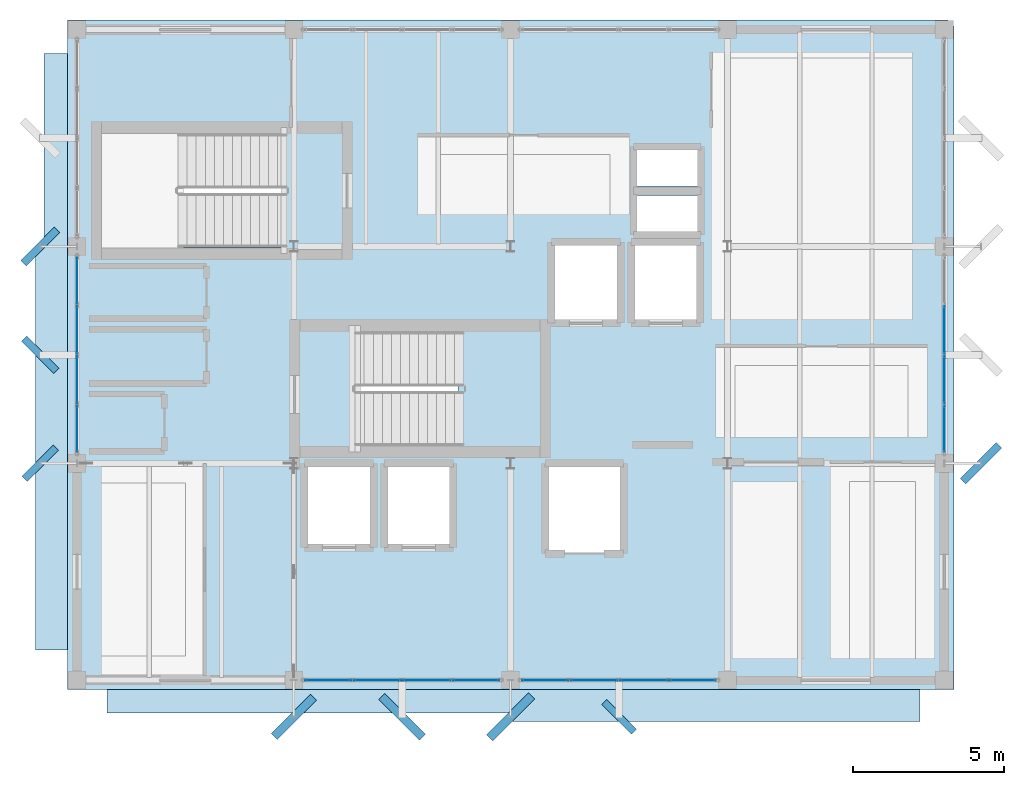
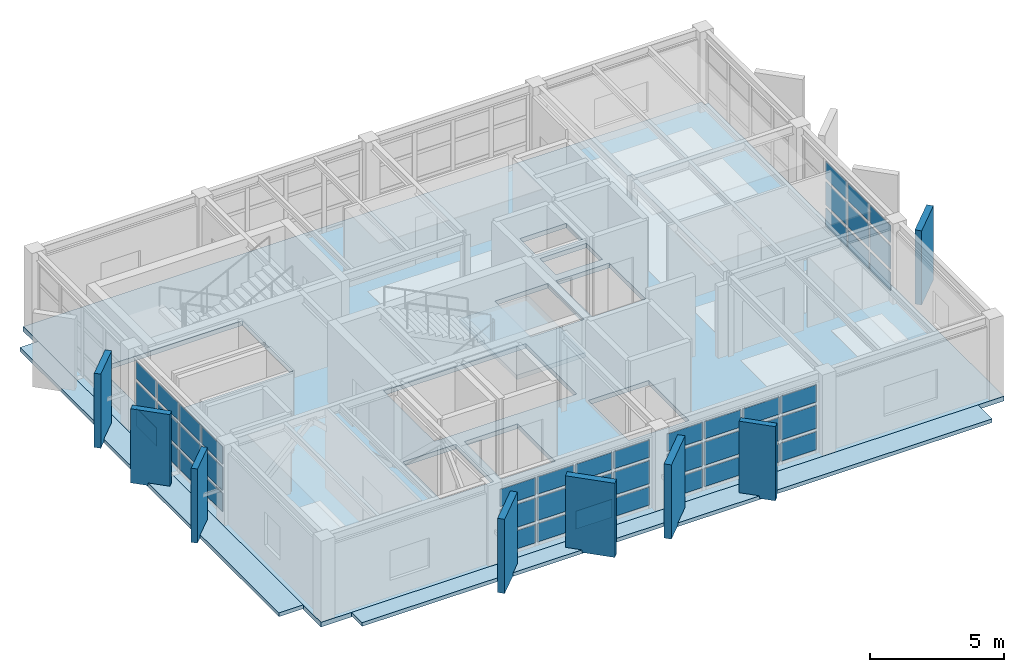
# One storey, part 9 of 15: 53 plates, 4 slabs, 5 elements without a shape of their own.
"""IFC4 building model written with IfcOpenShell, lengths in metres."""

from ifc_helpers import new_model, si_unit, direction, frame, origin, origin_2d, place, context, subcontext, project, spatial, polyline, rectangle, outline, extrude, material, layer, layer_set, type_object, element, aggregate, save


model = new_model("IFC4")

# Units and contexts
model_context = context("Model", 3, precision=1e-05, world=origin(), true_north=direction((0.0, 1.0)))
body_context = subcontext(model_context, "Body", "Model", "MODEL_VIEW")
ifc_project = project(units=[si_unit("LENGTHUNIT", "METRE"), si_unit("AREAUNIT", "SQUARE_METRE"), si_unit("VOLUMEUNIT", "CUBIC_METRE"), si_unit("PLANEANGLEUNIT", "RADIAN"), si_unit("MASSUNIT", "GRAM", prefix="KILO")], contexts=[model_context])

# Site, building, storey
site_placement = place(None, origin())
site = spatial("IfcSite", under=ifc_project, at=site_placement, CompositionType="ELEMENT")
building_placement = place(site_placement, origin())
building = spatial("IfcBuilding", under=site, at=building_placement, Name="Kandorven Conservatory and Botanical Research Centre", CompositionType="ELEMENT")
storey_placement = place(building_placement, frame((0.0, 0.0, 48.300048828125)))
storey = spatial("IfcBuildingStorey", under=building, at=storey_placement, Name="L12", CompositionType="ELEMENT", Elevation=48.300048828125)

# Curtain wall, plates
ifc_material_1 = material(Name="Bronze anodised thermally broken aluminium", Category="aluminium")
ifc_layer_1 = layer(ifc_material_1, 0.179931640625)
ifc_layer_set_1 = layer_set([ifc_layer_1], Name="Bronze anodised thermally broken aluminium")
curtain_wall_type = type_object("IfcCurtainWallType", Name="CW_Unitised", PredefinedType="USERDEFINED", material=ifc_layer_set_1)
curtain_wall_1_placement = place(storey_placement, origin())
curtain_wall_1 = element("IfcCurtainWall", 1, at=curtain_wall_1_placement, inside=storey, type_object=curtain_wall_type, Name="Tower laboratory curtain wall CW-TWR-S-L12-2", ObjectType="UNITISED GLAZING", PredefinedType="USERDEFINED")
ifc_material_2 = material(Name="Double-glazed solar-control low-E glass", Category="glass")
ifc_layer_2 = layer(ifc_material_2, 0.028076171875)
ifc_layer_set_2 = layer_set([ifc_layer_2], Name="Double-glazed solar-control low-E glass")
plate_type_1 = type_object("IfcPlateType", Name="CW_Panel", PredefinedType="CURTAIN_PANEL", material=ifc_layer_set_2)
plate_1_placement = place(storey_placement, frame((14.344970703125, 6.0, 0.14990234375), z_axis=(0.0, 0.0, 1.0), x_axis=(1.0, 0.0, 0.0)))
plate_1 = element("IfcPlate", 2, at=plate_1_placement, type_object=plate_type_1, Name="CW-01 panel 1.1", PredefinedType="CURTAIN_PANEL", context=body_context, shape_type="SweptSolid", body=[
    extrude(rectangle(XDim=1.530029296875, YDim=0.028076171875, at=origin_2d()), origin(), (0.0, 0.0, 1.0), 0.824951171875),
])
plate_2_placement = place(storey_placement, frame((14.344970703125, 6.0, 1.125), z_axis=(0.0, 0.0, 1.0), x_axis=(1.0, 0.0, 0.0)))
plate_2 = element("IfcPlate", 3, at=plate_2_placement, type_object=plate_type_1, Name="CW-01 panel 1.2", PredefinedType="CURTAIN_PANEL", context=body_context, shape_type="SweptSolid", body=[
    extrude(rectangle(XDim=1.530029296875, YDim=0.028076171875, at=origin_2d()), origin(), (0.0, 0.0, 1.0), 1.050048828125),
])
plate_3_placement = place(storey_placement, frame((14.344970703125, 6.0, 2.3251953125), z_axis=(0.0, 0.0, 1.0), x_axis=(1.0, 0.0, 0.0)))
plate_3 = element("IfcPlate", 4, at=plate_3_placement, type_object=plate_type_1, Name="CW-01 panel 1.3", PredefinedType="CURTAIN_PANEL", context=body_context, shape_type="SweptSolid", body=[
    extrude(rectangle(XDim=1.530029296875, YDim=0.028076171875, at=origin_2d()), origin(), (0.0, 0.0, 1.0), 0.784912109375),
])
plate_4_placement = place(storey_placement, frame((15.97509765625, 6.0, 0.14990234375), z_axis=(0.0, 0.0, 1.0), x_axis=(1.0, 0.0, 0.0)))
plate_4 = element("IfcPlate", 5, at=plate_4_placement, type_object=plate_type_1, Name="CW-01 panel 2.1", PredefinedType="CURTAIN_PANEL", context=body_context, shape_type="SweptSolid", body=[
    extrude(rectangle(XDim=1.570068359375, YDim=0.028076171875, at=origin_2d()), origin(), (0.0, 0.0, 1.0), 0.824951171875),
])
plate_5_placement = place(storey_placement, frame((15.97509765625, 6.0, 1.125), z_axis=(0.0, 0.0, 1.0), x_axis=(1.0, 0.0, 0.0)))
plate_5 = element("IfcPlate", 6, at=plate_5_placement, type_object=plate_type_1, Name="CW-01 panel 2.2", PredefinedType="CURTAIN_PANEL", context=body_context, shape_type="SweptSolid", body=[
    extrude(rectangle(XDim=1.570068359375, YDim=0.028076171875, at=origin_2d()), origin(), (0.0, 0.0, 1.0), 1.050048828125),
])
plate_6_placement = place(storey_placement, frame((15.97509765625, 6.0, 2.3251953125), z_axis=(0.0, 0.0, 1.0), x_axis=(1.0, 0.0, 0.0)))
plate_6 = element("IfcPlate", 7, at=plate_6_placement, type_object=plate_type_1, Name="CW-01 panel 2.3", PredefinedType="CURTAIN_PANEL", context=body_context, shape_type="SweptSolid", body=[
    extrude(rectangle(XDim=1.570068359375, YDim=0.028076171875, at=origin_2d()), origin(), (0.0, 0.0, 1.0), 0.784912109375),
])
plate_7_placement = place(storey_placement, frame((17.625, 6.0, 0.14990234375), z_axis=(0.0, 0.0, 1.0), x_axis=(1.0, 0.0, 0.0)))
plate_7 = element("IfcPlate", 8, at=plate_7_placement, type_object=plate_type_1, Name="CW-01 panel 3.1", PredefinedType="CURTAIN_PANEL", context=body_context, shape_type="SweptSolid", body=[
    extrude(rectangle(XDim=1.570068359375, YDim=0.028076171875, at=origin_2d()), origin(), (0.0, 0.0, 1.0), 0.824951171875),
])
plate_8_placement = place(storey_placement, frame((17.625, 6.0, 1.125), z_axis=(0.0, 0.0, 1.0), x_axis=(1.0, 0.0, 0.0)))
plate_8 = element("IfcPlate", 9, at=plate_8_placement, type_object=plate_type_1, Name="CW-01 panel 3.2", PredefinedType="CURTAIN_PANEL", context=body_context, shape_type="SweptSolid", body=[
    extrude(rectangle(XDim=1.570068359375, YDim=0.028076171875, at=origin_2d()), origin(), (0.0, 0.0, 1.0), 1.050048828125),
])
plate_9_placement = place(storey_placement, frame((17.625, 6.0, 2.3251953125), z_axis=(0.0, 0.0, 1.0), x_axis=(1.0, 0.0, 0.0)))
plate_9 = element("IfcPlate", 10, at=plate_9_placement, type_object=plate_type_1, Name="CW-01 panel 3.3", PredefinedType="CURTAIN_PANEL", context=body_context, shape_type="SweptSolid", body=[
    extrude(rectangle(XDim=1.570068359375, YDim=0.028076171875, at=origin_2d()), origin(), (0.0, 0.0, 1.0), 0.784912109375),
])
plate_10_placement = place(storey_placement, frame((19.2548828125, 6.0, 0.14990234375), z_axis=(0.0, 0.0, 1.0), x_axis=(1.0, 0.0, 0.0)))
plate_10 = element("IfcPlate", 11, at=plate_10_placement, type_object=plate_type_1, Name="CW-01 panel 4.1", PredefinedType="CURTAIN_PANEL", context=body_context, shape_type="SweptSolid", body=[
    extrude(rectangle(XDim=1.530029296875, YDim=0.028076171875, at=origin_2d()), origin(), (0.0, 0.0, 1.0), 0.824951171875),
])
plate_11_placement = place(storey_placement, frame((19.2548828125, 6.0, 1.125), z_axis=(0.0, 0.0, 1.0), x_axis=(1.0, 0.0, 0.0)))
plate_11 = element("IfcPlate", 12, at=plate_11_placement, type_object=plate_type_1, Name="CW-01 panel 4.2", PredefinedType="CURTAIN_PANEL", context=body_context, shape_type="SweptSolid", body=[
    extrude(rectangle(XDim=1.530029296875, YDim=0.028076171875, at=origin_2d()), origin(), (0.0, 0.0, 1.0), 1.050048828125),
])
plate_12_placement = place(storey_placement, frame((19.2548828125, 6.0, 2.3251953125), z_axis=(0.0, 0.0, 1.0), x_axis=(1.0, 0.0, 0.0)))
plate_12 = element("IfcPlate", 13, at=plate_12_placement, type_object=plate_type_1, Name="CW-01 panel 4.3", PredefinedType="CURTAIN_PANEL", context=body_context, shape_type="SweptSolid", body=[
    extrude(rectangle(XDim=1.530029296875, YDim=0.028076171875, at=origin_2d()), origin(), (0.0, 0.0, 1.0), 0.784912109375),
])
aggregate(curtain_wall_1, [plate_1, plate_2, plate_3, plate_4, plate_5, plate_6, plate_7, plate_8, plate_9, plate_10, plate_11, plate_12])

curtain_wall_2_placement = place(storey_placement, origin())
curtain_wall_2 = element("IfcCurtainWall", 14, at=curtain_wall_2_placement, inside=storey, type_object=curtain_wall_type, Name="Tower laboratory curtain wall CW-TWR-S-L12-3", ObjectType="UNITISED GLAZING", PredefinedType="USERDEFINED")
plate_13_placement = place(storey_placement, frame((21.544921875, 6.0, 0.14990234375), z_axis=(0.0, 0.0, 1.0), x_axis=(1.0, 0.0, 0.0)))
plate_13 = element("IfcPlate", 15, at=plate_13_placement, type_object=plate_type_1, Name="CW-01 panel 1.1", PredefinedType="CURTAIN_PANEL", context=body_context, shape_type="SweptSolid", body=[
    extrude(rectangle(XDim=1.530029296875, YDim=0.028076171875, at=origin_2d()), origin(), (0.0, 0.0, 1.0), 0.824951171875),
])
plate_14_placement = place(storey_placement, frame((21.544921875, 6.0, 1.125), z_axis=(0.0, 0.0, 1.0), x_axis=(1.0, 0.0, 0.0)))
plate_14 = element("IfcPlate", 16, at=plate_14_placement, type_object=plate_type_1, Name="CW-01 panel 1.2", PredefinedType="CURTAIN_PANEL", context=body_context, shape_type="SweptSolid", body=[
    extrude(rectangle(XDim=1.530029296875, YDim=0.028076171875, at=origin_2d()), origin(), (0.0, 0.0, 1.0), 1.050048828125),
])
plate_15_placement = place(storey_placement, frame((21.544921875, 6.0, 2.3251953125), z_axis=(0.0, 0.0, 1.0), x_axis=(1.0, 0.0, 0.0)))
plate_15 = element("IfcPlate", 17, at=plate_15_placement, type_object=plate_type_1, Name="CW-01 panel 1.3", PredefinedType="CURTAIN_PANEL", context=body_context, shape_type="SweptSolid", body=[
    extrude(rectangle(XDim=1.530029296875, YDim=0.028076171875, at=origin_2d()), origin(), (0.0, 0.0, 1.0), 0.784912109375),
])
plate_16_placement = place(storey_placement, frame((23.175048828125, 6.0, 0.14990234375), z_axis=(0.0, 0.0, 1.0), x_axis=(1.0, 0.0, 0.0)))
plate_16 = element("IfcPlate", 18, at=plate_16_placement, type_object=plate_type_1, Name="CW-01 panel 2.1", PredefinedType="CURTAIN_PANEL", context=body_context, shape_type="SweptSolid", body=[
    extrude(rectangle(XDim=1.570068359375, YDim=0.028076171875, at=origin_2d()), origin(), (0.0, 0.0, 1.0), 0.824951171875),
])
plate_17_placement = place(storey_placement, frame((23.175048828125, 6.0, 1.125), z_axis=(0.0, 0.0, 1.0), x_axis=(1.0, 0.0, 0.0)))
plate_17 = element("IfcPlate", 19, at=plate_17_placement, type_object=plate_type_1, Name="CW-01 panel 2.2", PredefinedType="CURTAIN_PANEL", context=body_context, shape_type="SweptSolid", body=[
    extrude(rectangle(XDim=1.570068359375, YDim=0.028076171875, at=origin_2d()), origin(), (0.0, 0.0, 1.0), 1.050048828125),
])
plate_18_placement = place(storey_placement, frame((23.175048828125, 6.0, 2.3251953125), z_axis=(0.0, 0.0, 1.0), x_axis=(1.0, 0.0, 0.0)))
plate_18 = element("IfcPlate", 20, at=plate_18_placement, type_object=plate_type_1, Name="CW-01 panel 2.3", PredefinedType="CURTAIN_PANEL", context=body_context, shape_type="SweptSolid", body=[
    extrude(rectangle(XDim=1.570068359375, YDim=0.028076171875, at=origin_2d()), origin(), (0.0, 0.0, 1.0), 0.784912109375),
])
plate_19_placement = place(storey_placement, frame((24.824951171875, 6.0, 0.14990234375), z_axis=(0.0, 0.0, 1.0), x_axis=(1.0, 0.0, 0.0)))
plate_19 = element("IfcPlate", 21, at=plate_19_placement, type_object=plate_type_1, Name="CW-01 panel 3.1", PredefinedType="CURTAIN_PANEL", context=body_context, shape_type="SweptSolid", body=[
    extrude(rectangle(XDim=1.570068359375, YDim=0.028076171875, at=origin_2d()), origin(), (0.0, 0.0, 1.0), 0.824951171875),
])
plate_20_placement = place(storey_placement, frame((24.824951171875, 6.0, 1.125), z_axis=(0.0, 0.0, 1.0), x_axis=(1.0, 0.0, 0.0)))
plate_20 = element("IfcPlate", 22, at=plate_20_placement, type_object=plate_type_1, Name="CW-01 panel 3.2", PredefinedType="CURTAIN_PANEL", context=body_context, shape_type="SweptSolid", body=[
    extrude(rectangle(XDim=1.570068359375, YDim=0.028076171875, at=origin_2d()), origin(), (0.0, 0.0, 1.0), 1.050048828125),
])
plate_21_placement = place(storey_placement, frame((24.824951171875, 6.0, 2.3251953125), z_axis=(0.0, 0.0, 1.0), x_axis=(1.0, 0.0, 0.0)))
plate_21 = element("IfcPlate", 23, at=plate_21_placement, type_object=plate_type_1, Name="CW-01 panel 3.3", PredefinedType="CURTAIN_PANEL", context=body_context, shape_type="SweptSolid", body=[
    extrude(rectangle(XDim=1.570068359375, YDim=0.028076171875, at=origin_2d()), origin(), (0.0, 0.0, 1.0), 0.784912109375),
])
plate_22_placement = place(storey_placement, frame((26.455078125, 6.0, 0.14990234375), z_axis=(0.0, 0.0, 1.0), x_axis=(1.0, 0.0, 0.0)))
plate_22 = element("IfcPlate", 24, at=plate_22_placement, type_object=plate_type_1, Name="CW-01 panel 4.1", PredefinedType="CURTAIN_PANEL", context=body_context, shape_type="SweptSolid", body=[
    extrude(rectangle(XDim=1.530029296875, YDim=0.028076171875, at=origin_2d()), origin(), (0.0, 0.0, 1.0), 0.824951171875),
])
plate_23_placement = place(storey_placement, frame((26.455078125, 6.0, 1.125), z_axis=(0.0, 0.0, 1.0), x_axis=(1.0, 0.0, 0.0)))
plate_23 = element("IfcPlate", 25, at=plate_23_placement, type_object=plate_type_1, Name="CW-01 panel 4.2", PredefinedType="CURTAIN_PANEL", context=body_context, shape_type="SweptSolid", body=[
    extrude(rectangle(XDim=1.530029296875, YDim=0.028076171875, at=origin_2d()), origin(), (0.0, 0.0, 1.0), 1.050048828125),
])
plate_24_placement = place(storey_placement, frame((26.455078125, 6.0, 2.3251953125), z_axis=(0.0, 0.0, 1.0), x_axis=(1.0, 0.0, 0.0)))
plate_24 = element("IfcPlate", 26, at=plate_24_placement, type_object=plate_type_1, Name="CW-01 panel 4.3", PredefinedType="CURTAIN_PANEL", context=body_context, shape_type="SweptSolid", body=[
    extrude(rectangle(XDim=1.530029296875, YDim=0.028076171875, at=origin_2d()), origin(), (0.0, 0.0, 1.0), 0.784912109375),
])
aggregate(curtain_wall_2, [plate_13, plate_14, plate_15, plate_16, plate_17, plate_18, plate_19, plate_20, plate_21, plate_22, plate_23, plate_24])

curtain_wall_3_placement = place(storey_placement, origin())
curtain_wall_3 = element("IfcCurtainWall", 27, at=curtain_wall_3_placement, inside=storey, type_object=curtain_wall_type, Name="Tower laboratory curtain wall CW-TWR-W-L12-2", ObjectType="UNITISED GLAZING", PredefinedType="USERDEFINED")
plate_25_placement = place(storey_placement, frame((6.0, 14.344970703125, 0.14990234375), z_axis=(0.0, 0.0, 1.0), x_axis=(0.0, 1.0, 0.0)))
plate_25 = element("IfcPlate", 28, at=plate_25_placement, type_object=plate_type_1, Name="CW-01 panel 1.1", PredefinedType="CURTAIN_PANEL", context=body_context, shape_type="SweptSolid", body=[
    extrude(rectangle(XDim=1.530029296875, YDim=0.028076171875, at=origin_2d()), origin(), (0.0, 0.0, 1.0), 0.824951171875),
])
plate_26_placement = place(storey_placement, frame((6.0, 14.344970703125, 1.125), z_axis=(0.0, 0.0, 1.0), x_axis=(0.0, 1.0, 0.0)))
plate_26 = element("IfcPlate", 29, at=plate_26_placement, type_object=plate_type_1, Name="CW-01 panel 1.2", PredefinedType="CURTAIN_PANEL", context=body_context, shape_type="SweptSolid", body=[
    extrude(rectangle(XDim=1.530029296875, YDim=0.028076171875, at=origin_2d()), origin(), (0.0, 0.0, 1.0), 1.050048828125),
])
plate_27_placement = place(storey_placement, frame((6.0, 14.344970703125, 2.3251953125), z_axis=(0.0, 0.0, 1.0), x_axis=(0.0, 1.0, 0.0)))
plate_27 = element("IfcPlate", 30, at=plate_27_placement, type_object=plate_type_1, Name="CW-01 panel 1.3", PredefinedType="CURTAIN_PANEL", context=body_context, shape_type="SweptSolid", body=[
    extrude(rectangle(XDim=1.530029296875, YDim=0.028076171875, at=origin_2d()), origin(), (0.0, 0.0, 1.0), 0.784912109375),
])
plate_28_placement = place(storey_placement, frame((6.0, 15.97509765625, 0.14990234375), z_axis=(0.0, 0.0, 1.0), x_axis=(0.0, 1.0, 0.0)))
plate_28 = element("IfcPlate", 31, at=plate_28_placement, type_object=plate_type_1, Name="CW-01 panel 2.1", PredefinedType="CURTAIN_PANEL", context=body_context, shape_type="SweptSolid", body=[
    extrude(rectangle(XDim=1.570068359375, YDim=0.028076171875, at=origin_2d()), origin(), (0.0, 0.0, 1.0), 0.824951171875),
])
plate_29_placement = place(storey_placement, frame((6.0, 15.97509765625, 1.125), z_axis=(0.0, 0.0, 1.0), x_axis=(0.0, 1.0, 0.0)))
plate_29 = element("IfcPlate", 32, at=plate_29_placement, type_object=plate_type_1, Name="CW-01 panel 2.2", PredefinedType="CURTAIN_PANEL", context=body_context, shape_type="SweptSolid", body=[
    extrude(rectangle(XDim=1.570068359375, YDim=0.028076171875, at=origin_2d()), origin(), (0.0, 0.0, 1.0), 1.050048828125),
])
plate_30_placement = place(storey_placement, frame((6.0, 15.97509765625, 2.3251953125), z_axis=(0.0, 0.0, 1.0), x_axis=(0.0, 1.0, 0.0)))
plate_30 = element("IfcPlate", 33, at=plate_30_placement, type_object=plate_type_1, Name="CW-01 panel 2.3", PredefinedType="CURTAIN_PANEL", context=body_context, shape_type="SweptSolid", body=[
    extrude(rectangle(XDim=1.570068359375, YDim=0.028076171875, at=origin_2d()), origin(), (0.0, 0.0, 1.0), 0.784912109375),
])
plate_31_placement = place(storey_placement, frame((6.0, 17.625, 0.14990234375), z_axis=(0.0, 0.0, 1.0), x_axis=(0.0, 1.0, 0.0)))
plate_31 = element("IfcPlate", 34, at=plate_31_placement, type_object=plate_type_1, Name="CW-01 panel 3.1", PredefinedType="CURTAIN_PANEL", context=body_context, shape_type="SweptSolid", body=[
    extrude(rectangle(XDim=1.570068359375, YDim=0.028076171875, at=origin_2d()), origin(), (0.0, 0.0, 1.0), 0.824951171875),
])
plate_32_placement = place(storey_placement, frame((6.0, 17.625, 1.125), z_axis=(0.0, 0.0, 1.0), x_axis=(0.0, 1.0, 0.0)))
plate_32 = element("IfcPlate", 35, at=plate_32_placement, type_object=plate_type_1, Name="CW-01 panel 3.2", PredefinedType="CURTAIN_PANEL", context=body_context, shape_type="SweptSolid", body=[
    extrude(rectangle(XDim=1.570068359375, YDim=0.028076171875, at=origin_2d()), origin(), (0.0, 0.0, 1.0), 1.050048828125),
])
plate_33_placement = place(storey_placement, frame((6.0, 17.625, 2.3251953125), z_axis=(0.0, 0.0, 1.0), x_axis=(0.0, 1.0, 0.0)))
plate_33 = element("IfcPlate", 36, at=plate_33_placement, type_object=plate_type_1, Name="CW-01 panel 3.3", PredefinedType="CURTAIN_PANEL", context=body_context, shape_type="SweptSolid", body=[
    extrude(rectangle(XDim=1.570068359375, YDim=0.028076171875, at=origin_2d()), origin(), (0.0, 0.0, 1.0), 0.784912109375),
])
plate_34_placement = place(storey_placement, frame((6.0, 19.2548828125, 0.14990234375), z_axis=(0.0, 0.0, 1.0), x_axis=(0.0, 1.0, 0.0)))
plate_34 = element("IfcPlate", 37, at=plate_34_placement, type_object=plate_type_1, Name="CW-01 panel 4.1", PredefinedType="CURTAIN_PANEL", context=body_context, shape_type="SweptSolid", body=[
    extrude(rectangle(XDim=1.530029296875, YDim=0.028076171875, at=origin_2d()), origin(), (0.0, 0.0, 1.0), 0.824951171875),
])
plate_35_placement = place(storey_placement, frame((6.0, 19.2548828125, 1.125), z_axis=(0.0, 0.0, 1.0), x_axis=(0.0, 1.0, 0.0)))
plate_35 = element("IfcPlate", 38, at=plate_35_placement, type_object=plate_type_1, Name="CW-01 panel 4.2", PredefinedType="CURTAIN_PANEL", context=body_context, shape_type="SweptSolid", body=[
    extrude(rectangle(XDim=1.530029296875, YDim=0.028076171875, at=origin_2d()), origin(), (0.0, 0.0, 1.0), 1.050048828125),
])
plate_36_placement = place(storey_placement, frame((6.0, 19.2548828125, 2.3251953125), z_axis=(0.0, 0.0, 1.0), x_axis=(0.0, 1.0, 0.0)))
plate_36 = element("IfcPlate", 39, at=plate_36_placement, type_object=plate_type_1, Name="CW-01 panel 4.3", PredefinedType="CURTAIN_PANEL", context=body_context, shape_type="SweptSolid", body=[
    extrude(rectangle(XDim=1.530029296875, YDim=0.028076171875, at=origin_2d()), origin(), (0.0, 0.0, 1.0), 0.784912109375),
])
aggregate(curtain_wall_3, [plate_25, plate_26, plate_27, plate_28, plate_29, plate_30, plate_31, plate_32, plate_33, plate_34, plate_35, plate_36])

curtain_wall_4_placement = place(storey_placement, origin())
curtain_wall_4 = element("IfcCurtainWall", 40, at=curtain_wall_4_placement, inside=storey, type_object=curtain_wall_type, Name="Tower laboratory curtain wall CW-TWR-E-L12-2", ObjectType="UNITISED GLAZING", PredefinedType="USERDEFINED")
plate_37_placement = place(storey_placement, frame((34.800048828125, 14.344970703125, 0.14990234375), z_axis=(0.0, 0.0, 1.0), x_axis=(0.0, 1.0, 0.0)))
plate_37 = element("IfcPlate", 41, at=plate_37_placement, type_object=plate_type_1, Name="CW-01 panel 1.1", PredefinedType="CURTAIN_PANEL", context=body_context, shape_type="SweptSolid", body=[
    extrude(rectangle(XDim=1.530029296875, YDim=0.028076171875, at=origin_2d()), origin(), (0.0, 0.0, 1.0), 0.824951171875),
])
plate_38_placement = place(storey_placement, frame((34.800048828125, 14.344970703125, 1.125), z_axis=(0.0, 0.0, 1.0), x_axis=(0.0, 1.0, 0.0)))
plate_38 = element("IfcPlate", 42, at=plate_38_placement, type_object=plate_type_1, Name="CW-01 panel 1.2", PredefinedType="CURTAIN_PANEL", context=body_context, shape_type="SweptSolid", body=[
    extrude(rectangle(XDim=1.530029296875, YDim=0.028076171875, at=origin_2d()), origin(), (0.0, 0.0, 1.0), 1.050048828125),
])
plate_39_placement = place(storey_placement, frame((34.800048828125, 14.344970703125, 2.3251953125), z_axis=(0.0, 0.0, 1.0), x_axis=(0.0, 1.0, 0.0)))
plate_39 = element("IfcPlate", 43, at=plate_39_placement, type_object=plate_type_1, Name="CW-01 panel 1.3", PredefinedType="CURTAIN_PANEL", context=body_context, shape_type="SweptSolid", body=[
    extrude(rectangle(XDim=1.530029296875, YDim=0.028076171875, at=origin_2d()), origin(), (0.0, 0.0, 1.0), 0.784912109375),
])
plate_40_placement = place(storey_placement, frame((34.800048828125, 15.97509765625, 0.14990234375), z_axis=(0.0, 0.0, 1.0), x_axis=(0.0, 1.0, 0.0)))
plate_40 = element("IfcPlate", 44, at=plate_40_placement, type_object=plate_type_1, Name="CW-01 panel 2.1", PredefinedType="CURTAIN_PANEL", context=body_context, shape_type="SweptSolid", body=[
    extrude(rectangle(XDim=1.570068359375, YDim=0.028076171875, at=origin_2d()), origin(), (0.0, 0.0, 1.0), 0.824951171875),
])
plate_41_placement = place(storey_placement, frame((34.800048828125, 15.97509765625, 1.125), z_axis=(0.0, 0.0, 1.0), x_axis=(0.0, 1.0, 0.0)))
plate_41 = element("IfcPlate", 45, at=plate_41_placement, type_object=plate_type_1, Name="CW-01 panel 2.2", PredefinedType="CURTAIN_PANEL", context=body_context, shape_type="SweptSolid", body=[
    extrude(rectangle(XDim=1.570068359375, YDim=0.028076171875, at=origin_2d()), origin(), (0.0, 0.0, 1.0), 1.050048828125),
])
plate_42_placement = place(storey_placement, frame((34.800048828125, 15.97509765625, 2.3251953125), z_axis=(0.0, 0.0, 1.0), x_axis=(0.0, 1.0, 0.0)))
plate_42 = element("IfcPlate", 46, at=plate_42_placement, type_object=plate_type_1, Name="CW-01 panel 2.3", PredefinedType="CURTAIN_PANEL", context=body_context, shape_type="SweptSolid", body=[
    extrude(rectangle(XDim=1.570068359375, YDim=0.028076171875, at=origin_2d()), origin(), (0.0, 0.0, 1.0), 0.784912109375),
])
plate_43_placement = place(storey_placement, frame((34.800048828125, 17.625, 0.14990234375), z_axis=(0.0, 0.0, 1.0), x_axis=(0.0, 1.0, 0.0)))
plate_43 = element("IfcPlate", 47, at=plate_43_placement, type_object=plate_type_1, Name="CW-01 panel 3.1", PredefinedType="CURTAIN_PANEL", context=body_context, shape_type="SweptSolid", body=[
    extrude(rectangle(XDim=1.570068359375, YDim=0.028076171875, at=origin_2d()), origin(), (0.0, 0.0, 1.0), 0.824951171875),
])
plate_44_placement = place(storey_placement, frame((34.800048828125, 17.625, 1.125), z_axis=(0.0, 0.0, 1.0), x_axis=(0.0, 1.0, 0.0)))
plate_44 = element("IfcPlate", 48, at=plate_44_placement, type_object=plate_type_1, Name="CW-01 panel 3.2", PredefinedType="CURTAIN_PANEL", context=body_context, shape_type="SweptSolid", body=[
    extrude(rectangle(XDim=1.570068359375, YDim=0.028076171875, at=origin_2d()), origin(), (0.0, 0.0, 1.0), 1.050048828125),
])
plate_45_placement = place(storey_placement, frame((34.800048828125, 17.625, 2.3251953125), z_axis=(0.0, 0.0, 1.0), x_axis=(0.0, 1.0, 0.0)))
plate_45 = element("IfcPlate", 49, at=plate_45_placement, type_object=plate_type_1, Name="CW-01 panel 3.3", PredefinedType="CURTAIN_PANEL", context=body_context, shape_type="SweptSolid", body=[
    extrude(rectangle(XDim=1.570068359375, YDim=0.028076171875, at=origin_2d()), origin(), (0.0, 0.0, 1.0), 0.784912109375),
])
aggregate(curtain_wall_4, [plate_37, plate_38, plate_39, plate_40, plate_41, plate_42, plate_43, plate_44, plate_45])

# Plates
ifc_material_3 = material(Name="Precast concrete C40/50 (M50)", Category="concrete")
ifc_layer_3 = layer(ifc_material_3, 0.239990234375)
ifc_layer_set_3 = layer_set([ifc_layer_3], Name="Precast concrete C40/50 (M50)")
plate_type_2 = type_object("IfcPlateType", Name="Fin_BF-01", PredefinedType="USERDEFINED", material=ifc_layer_set_3)
plate_46_placement = place(storey_placement, frame((24.0, 4.780029296875, -0.119873046875), z_axis=(0.0, 0.0, 1.0), x_axis=(-0.707106781187, 0.707106781187, 0.0)))
element("IfcPlate", 50, at=plate_46_placement, inside=storey, type_object=plate_type_2, Name="Sculpted board-marked concrete brise-soleil fin BF-01", ObjectType="SOLAR FIN", PredefinedType="USERDEFINED", context=body_context, shape_type="SweptSolid", body=[
    extrude(rectangle(XDim=1.39990234375, YDim=0.239990234375, at=origin_2d()), origin(), (0.0, 0.0, 1.0), 3.3798828125),
])
ifc_material_4 = material(Name="Precast concrete C40/50 (M50)", Category="concrete")
ifc_layer_4 = layer(ifc_material_4, 0.2451171875)
ifc_layer_set_4 = layer_set([ifc_layer_4], Name="Precast concrete C40/50 (M50)")
plate_type_3 = type_object("IfcPlateType", Name="Fin_BF-02", PredefinedType="USERDEFINED", material=ifc_layer_set_4)
plate_47_placement = place(storey_placement, frame((4.780029296875, 13.199951171875, -0.119873046875), z_axis=(0.0, 0.0, 1.0), x_axis=(0.707106781187, 0.707106781187, 0.0)))
element("IfcPlate", 51, at=plate_47_placement, inside=storey, type_object=plate_type_3, Name="Sculpted board-marked concrete brise-soleil fin BF-02", ObjectType="SOLAR FIN", PredefinedType="USERDEFINED", context=body_context, shape_type="SweptSolid", body=[
    extrude(rectangle(XDim=1.4599609375, YDim=0.2451171875, at=origin_2d()), origin(), (0.0, 0.0, 1.0), 3.3798828125),
])
ifc_material_5 = material(Name="Precast concrete C40/50 (M50)", Category="concrete")
ifc_layer_5 = layer(ifc_material_5, 0.25)
ifc_layer_set_5 = layer_set([ifc_layer_5], Name="Precast concrete C40/50 (M50)")
plate_type_4 = type_object("IfcPlateType", Name="Fin_BF-03", PredefinedType="USERDEFINED", material=ifc_layer_set_5)
plate_48_placement = place(storey_placement, frame((4.780029296875, 16.800048828125, -0.119873046875), z_axis=(0.0, 0.0, 1.0), x_axis=(-0.707106781187, 0.707106781187, 0.0)))
element("IfcPlate", 52, at=plate_48_placement, inside=storey, type_object=plate_type_4, Name="Sculpted board-marked concrete brise-soleil fin BF-03", ObjectType="SOLAR FIN", PredefinedType="USERDEFINED", context=body_context, shape_type="SweptSolid", body=[
    extrude(rectangle(XDim=1.52001953125, YDim=0.25, at=origin_2d()), origin(), (0.0, 0.0, 1.0), 3.3798828125),
])
ifc_material_6 = material(Name="Precast concrete C40/50 (M50)", Category="concrete")
ifc_layer_6 = layer(ifc_material_6, 0.2548828125)
ifc_layer_set_6 = layer_set([ifc_layer_6], Name="Precast concrete C40/50 (M50)")
plate_type_5 = type_object("IfcPlateType", Name="Fin_BF-04", PredefinedType="USERDEFINED", material=ifc_layer_set_6)
plate_49_placement = place(storey_placement, frame((4.780029296875, 20.39990234375, -0.119873046875), z_axis=(0.0, 0.0, 1.0), x_axis=(0.707106781187, 0.707106781187, 0.0)))
element("IfcPlate", 53, at=plate_49_placement, inside=storey, type_object=plate_type_5, Name="Sculpted board-marked concrete brise-soleil fin BF-04", ObjectType="SOLAR FIN", PredefinedType="USERDEFINED", context=body_context, shape_type="SweptSolid", body=[
    extrude(rectangle(XDim=1.580078125, YDim=0.2548828125, at=origin_2d()), origin(), (0.0, 0.0, 1.0), 3.3798828125),
])
ifc_material_7 = material(Name="Precast concrete C40/50 (M50)", Category="concrete")
ifc_layer_7 = layer(ifc_material_7, 0.264892578125)
ifc_layer_set_7 = layer_set([ifc_layer_7], Name="Precast concrete C40/50 (M50)")
plate_type_6 = type_object("IfcPlateType", Name="Fin_BF-06", PredefinedType="USERDEFINED", material=ifc_layer_set_7)
plate_50_placement = place(storey_placement, frame((36.02001953125, 13.199951171875, -0.119873046875), z_axis=(0.0, 0.0, 1.0), x_axis=(0.707106781187, 0.707106781187, 0.0)))
element("IfcPlate", 54, at=plate_50_placement, inside=storey, type_object=plate_type_6, Name="Sculpted board-marked concrete brise-soleil fin BF-06", ObjectType="SOLAR FIN", PredefinedType="USERDEFINED", context=body_context, shape_type="SweptSolid", body=[
    extrude(rectangle(XDim=1.699951171875, YDim=0.264892578125, at=origin_2d()), origin(), (0.0, 0.0, 1.0), 3.3798828125),
])
ifc_material_8 = material(Name="Precast concrete C40/50 (M50)", Category="concrete")
ifc_layer_8 = layer(ifc_material_8, 0.27587890625)
ifc_layer_set_8 = layer_set([ifc_layer_8], Name="Precast concrete C40/50 (M50)")
plate_type_7 = type_object("IfcPlateType", Name="Fin_BF-18", PredefinedType="USERDEFINED", material=ifc_layer_set_8)
plate_51_placement = place(storey_placement, frame((13.199951171875, 4.780029296875, -0.119873046875), z_axis=(0.0, 0.0, 1.0), x_axis=(0.707106781187, 0.707106781187, 0.0)))
element("IfcPlate", 55, at=plate_51_placement, inside=storey, type_object=plate_type_7, Name="Sculpted board-marked concrete brise-soleil fin BF-18", ObjectType="SOLAR FIN", PredefinedType="USERDEFINED", context=body_context, shape_type="SweptSolid", body=[
    extrude(rectangle(XDim=1.85009765625, YDim=0.27587890625, at=origin_2d()), origin(), (0.0, 0.0, 1.0), 3.3798828125),
])
ifc_material_9 = material(Name="Precast concrete C40/50 (M50)", Category="concrete")
ifc_layer_9 = layer(ifc_material_9, 0.281982421875)
ifc_layer_set_9 = layer_set([ifc_layer_9], Name="Precast concrete C40/50 (M50)")
plate_type_8 = type_object("IfcPlateType", Name="Fin_BF-19", PredefinedType="USERDEFINED", material=ifc_layer_set_9)
plate_52_placement = place(storey_placement, frame((16.800048828125, 4.780029296875, -0.119873046875), z_axis=(0.0, 0.0, 1.0), x_axis=(-0.707106781187, 0.707106781187, 0.0)))
element("IfcPlate", 56, at=plate_52_placement, inside=storey, type_object=plate_type_8, Name="Sculpted board-marked concrete brise-soleil fin BF-19", ObjectType="SOLAR FIN", PredefinedType="USERDEFINED", context=body_context, shape_type="SweptSolid", body=[
    extrude(rectangle(XDim=1.909912109375, YDim=0.281982421875, at=origin_2d()), origin(), (0.0, 0.0, 1.0), 3.3798828125),
])
ifc_material_10 = material(Name="Precast concrete C40/50 (M50)", Category="concrete")
ifc_layer_10 = layer(ifc_material_10, 0.2880859375)
ifc_layer_set_10 = layer_set([ifc_layer_10], Name="Precast concrete C40/50 (M50)")
plate_type_9 = type_object("IfcPlateType", Name="Fin_BF-20", PredefinedType="USERDEFINED", material=ifc_layer_set_10)
plate_53_placement = place(storey_placement, frame((20.39990234375, 4.780029296875, -0.119873046875), z_axis=(0.0, 0.0, 1.0), x_axis=(0.707106781187, 0.707106781187, 0.0)))
element("IfcPlate", 57, at=plate_53_placement, inside=storey, type_object=plate_type_9, Name="Sculpted board-marked concrete brise-soleil fin BF-20", ObjectType="SOLAR FIN", PredefinedType="USERDEFINED", context=body_context, shape_type="SweptSolid", body=[
    extrude(rectangle(XDim=1.969970703125, YDim=0.2880859375, at=origin_2d()), origin(), (0.0, 0.0, 1.0), 3.3798828125),
])

# Slabs
ifc_material_11 = material(Name="Concrete C32/40 (M40)", Category="concrete")
ifc_layer_11 = layer(ifc_material_11, 0.2099609375)
ifc_layer_set_11 = layer_set([ifc_layer_11], Name="Concrete C32/40 (M40)")
slab_type_1 = type_object("IfcSlabType", Name="Slab_SL-10", PredefinedType="FLOOR", material=ifc_layer_set_11)
slab_1_placement = place(storey_placement, frame((0.0, 0.0, -0.2099609375)))
element("IfcSlab", 58, at=slab_1_placement, inside=storey, type_object=slab_type_1, Name="Tower floor slab L12", PredefinedType="FLOOR", context=body_context, shape_type="SweptSolid", body=[
    extrude(outline(polyline([(5.679931640625, 5.679931640625), (35.1201171875, 5.679931640625), (35.1201171875, 27.719970703125), (34.919921875, 27.719970703125), (34.919921875, 27.919921875), (5.679931640625, 27.919921875), (5.679931640625, 5.679931640625)]), holes=[polyline([(15.239990234375, 13.780029296875), (21.3798828125, 13.780029296875), (21.3798828125, 17.570068359375), (15.239990234375, 17.570068359375), (15.239990234375, 13.780029296875)]), polyline([(12.9599609375, 24.14990234375), (6.820068359375, 24.14990234375), (6.820068359375, 20.360107421875), (12.9599609375, 20.360107421875), (12.9599609375, 24.14990234375)]), polyline([(21.75, 17.85009765625), (24.050048828125, 17.85009765625), (24.050048828125, 20.550048828125), (21.75, 20.550048828125), (21.75, 17.85009765625)]), polyline([(24.39990234375, 17.85009765625), (26.699951171875, 17.85009765625), (26.699951171875, 20.550048828125), (24.39990234375, 20.550048828125), (24.39990234375, 17.85009765625)]), polyline([(13.550048828125, 10.39990234375), (15.85009765625, 10.39990234375), (15.85009765625, 13.199951171875), (13.550048828125, 13.199951171875), (13.550048828125, 10.39990234375)]), polyline([(16.199951171875, 10.39990234375), (18.5, 10.39990234375), (18.5, 13.199951171875), (16.199951171875, 13.199951171875), (16.199951171875, 10.39990234375)]), polyline([(21.550048828125, 10.199951171875), (24.14990234375, 10.199951171875), (24.14990234375, 13.199951171875), (21.550048828125, 13.199951171875), (21.550048828125, 10.199951171875)]), polyline([(24.60009765625, 20.89990234375), (26.60009765625, 20.89990234375), (26.60009765625, 22.10009765625), (24.60009765625, 22.10009765625), (24.60009765625, 20.89990234375)]), polyline([(24.60009765625, 22.39990234375), (26.60009765625, 22.39990234375), (26.60009765625, 23.60009765625), (24.60009765625, 23.60009765625), (24.60009765625, 22.39990234375)])]), origin(), (0.0, 0.0, 1.0), 0.2099609375),
])
ifc_material_12 = material(Name="Concrete C32/40 (M40)", Category="concrete")
ifc_layer_12 = layer(ifc_material_12, 0.169921875)
ifc_layer_set_12 = layer_set([ifc_layer_12], Name="Concrete C32/40 (M40)")
slab_type_2 = type_object("IfcSlabType", Name="Slab_SL-13", PredefinedType="FLOOR", material=ifc_layer_set_12)
slab_2_placement = place(storey_placement, frame((0.0, 0.0, -0.170166015625)))
element("IfcSlab", 59, at=slab_2_placement, inside=storey, type_object=slab_type_2, Name="Tower south sculpted concrete solar-hood slab L12", PredefinedType="FLOOR", context=body_context, shape_type="SweptSolid", body=[
    extrude(outline(polyline([(7.0, 5.679931640625), (34.0, 5.679931640625), (34.0, 4.6298828125), (20.39990234375, 4.6298828125), (20.39990234375, 4.89990234375), (7.0, 4.89990234375), (7.0, 5.679931640625)])), origin(), (0.0, 0.0, 1.0), 0.170166015625),
])
slab_3_placement = place(storey_placement, frame((0.0, 0.0, -0.170166015625)))
element("IfcSlab", 60, at=slab_3_placement, inside=storey, type_object=slab_type_2, Name="Tower west sculpted concrete solar-hood slab L12", PredefinedType="FLOOR", context=body_context, shape_type="SweptSolid", body=[
    extrude(outline(polyline([(4.6298828125, 7.0), (5.679931640625, 7.0), (5.679931640625, 26.800048828125), (4.89990234375, 26.800048828125), (4.89990234375, 20.39990234375), (4.6298828125, 20.39990234375), (4.6298828125, 7.0)])), origin(), (0.0, 0.0, 1.0), 0.170166015625),
])

# Stair, slab
ifc_material_13 = material(Name="Concrete C32/40 (M40)", Category="concrete")
stair_type = type_object("IfcStairType", Name="Stair_1820", PredefinedType="HALF_TURN_STAIR", material=ifc_material_13)
stair_placement = place(storey_placement, origin())
stair = element("IfcStair", 61, at=stair_placement, inside=storey, type_object=stair_type, Name="L12 Tower Fire Stair ST-T1", PredefinedType="HALF_TURN_STAIR")
ifc_material_14 = material(Name="Concrete C32/40 (M40)", Category="concrete")
ifc_layer_13 = layer(ifc_material_14, 0.199951171875)
ifc_layer_set_13 = layer_set([ifc_layer_13], Name="Concrete C32/40 (M40)")
slab_type_3 = type_object("IfcSlabType", Name="StairLanding_200", PredefinedType="LANDING", material=ifc_layer_set_13)
slab_4_placement = place(storey_placement, frame((0.0, 0.0, 1.75)))
slab_4 = element("IfcSlab", 62, at=slab_4_placement, type_object=slab_type_3, Name="ST-T1 landing 1", PredefinedType="LANDING", context=body_context, shape_type="SweptSolid", body=[
    extrude(outline(polyline([(18.659423828125, 13.5400390625), (21.6201171875, 13.5400390625), (21.6201171875, 17.81005859375), (18.659423828125, 17.81005859375), (18.659423828125, 13.5400390625)])), origin(), (0.0, 0.0, 1.0), 0.199951171875),
])
aggregate(stair, [slab_4])

save(model, "model.ifc")
